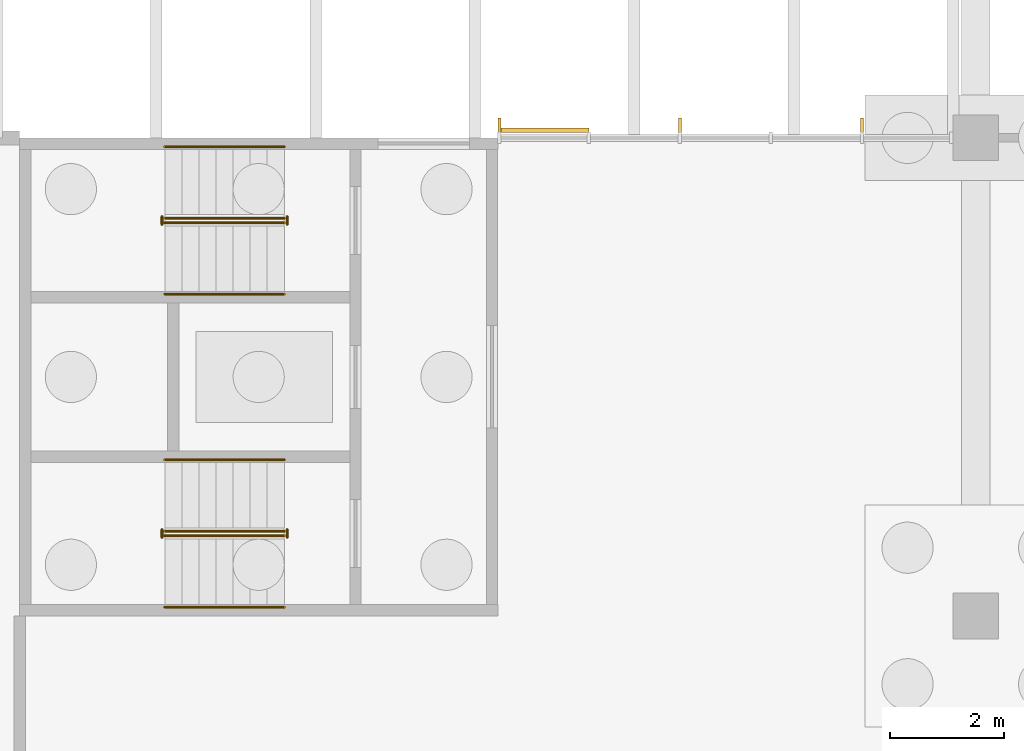
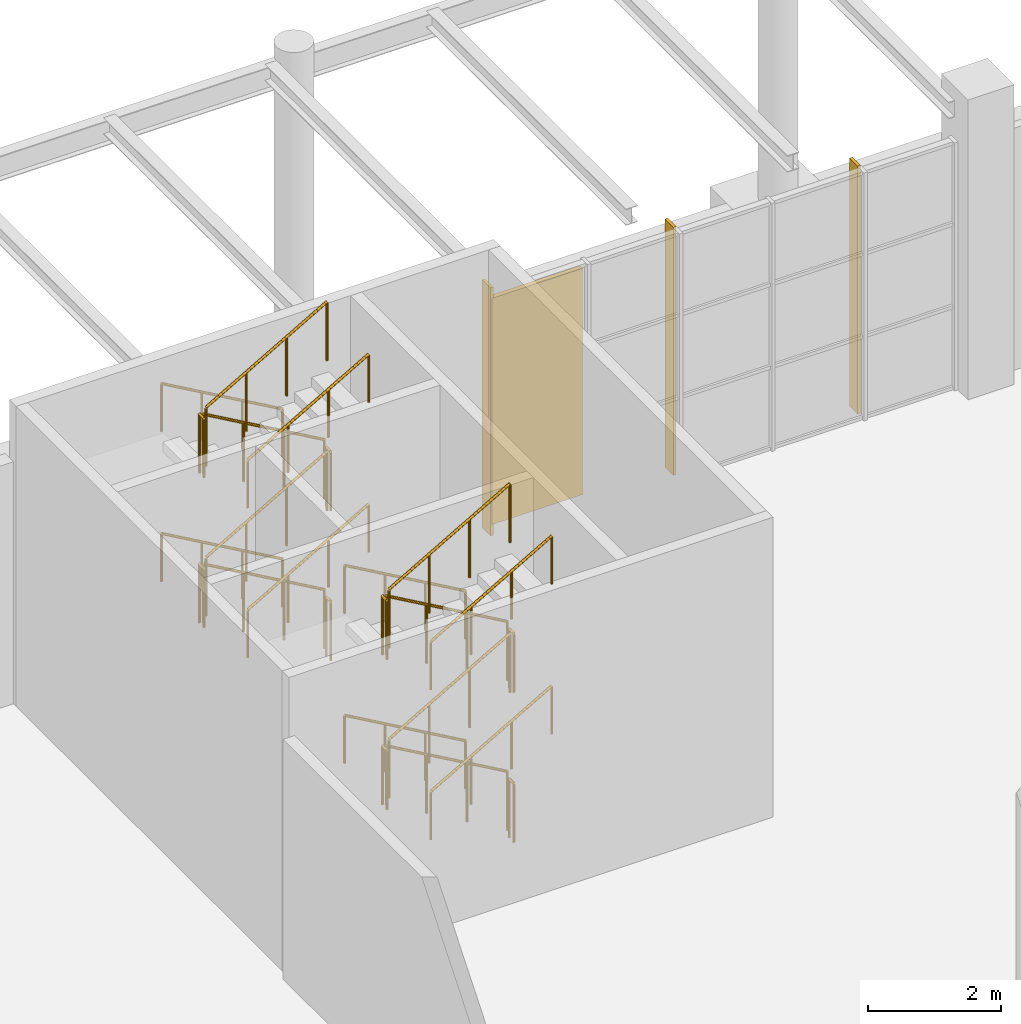
# One storey, part 73 of 82: 24 railings, 4 shading devices.
"""IFC4 building model written with IfcOpenShell, lengths in metres."""

from ifc_helpers import new_model, si_unit, direction, frame, origin, origin_2d, place, context, subcontext, project, spatial, rectangle, circle, extrude, material, material_profile, profile_set, type_object, element, save


model = new_model("IFC4")

# Units and contexts
model_context = context("Model", 3, precision=1e-05, world=origin(), true_north=direction((0.0, 1.0)))
body_context = subcontext(model_context, "Body", "Model", "MODEL_VIEW")
ifc_project = project(units=[si_unit("LENGTHUNIT", "METRE"), si_unit("AREAUNIT", "SQUARE_METRE"), si_unit("VOLUMEUNIT", "CUBIC_METRE"), si_unit("PLANEANGLEUNIT", "RADIAN"), si_unit("MASSUNIT", "GRAM", prefix="KILO")], contexts=[model_context])

# Site, building, storey
site_placement = place(None, origin())
site = spatial("IfcSite", under=ifc_project, at=site_placement, CompositionType="ELEMENT")
building_placement = place(site_placement, origin())
building = spatial("IfcBuilding", under=site, at=building_placement, Name="Almond Square Museum", CompositionType="ELEMENT")
storey_placement = place(building_placement, origin())
storey = spatial("IfcBuildingStorey", under=building, at=storey_placement, Name="L00", CompositionType="ELEMENT", Elevation=0.0)

# Railings
ifc_material_1 = material(Name="Stainless steel and laminated glass", Category="steel")
railing_type_1 = type_object("IfcRailingType", Name="Stair guard 1100 steel and glass", PredefinedType="GUARDRAIL", material=ifc_material_1)
railing_1_placement = place(storey_placement, frame((77.85009765625, 102.2900390625, 0.171875)))
element("IfcRailing", 1, at=railing_1_placement, inside=storey, type_object=railing_type_1, Name="L00 ST-09 stair guard 1", PredefinedType="GUARDRAIL", context=body_context, shape_type="SweptSolid", body=[
    extrude(circle(Radius=0.02392578125, at=origin_2d()), frame((0.0, 0.0, 1.076171875), z_axis=(-0.867696358075, 0.0, 0.497094588769), x_axis=(0.0, -1.0, 0.0)), (0.0, 0.0, 1.0), 2.42041015625),
    extrude(circle(Radius=0.02099609375, at=origin_2d()), origin(), (0.0, 0.0, 1.0), 1.052001953125),
    extrude(circle(Radius=0.02099609375, at=origin_2d()), frame((-0.699951171875, 0.0, 0.401123046875)), (0.0, 0.0, 1.0), 1.052001953125),
    extrude(circle(Radius=0.02099609375, at=origin_2d()), frame((-1.400146484375, 0.0, 0.802001953125)), (0.0, 0.0, 1.0), 1.052001953125),
    extrude(circle(Radius=0.02099609375, at=origin_2d()), frame((-2.10009765625, 0.0, 1.203125)), (0.0, 0.0, 1.0), 1.052001953125),
])
railing_2_placement = place(storey_placement, frame((75.699951171875, 102.320068359375, 1.375)))
element("IfcRailing", 2, at=railing_2_placement, inside=storey, type_object=railing_type_1, Name="L00 ST-09 stair guard 2", PredefinedType="GUARDRAIL", context=body_context, shape_type="SweptSolid", body=[
    extrude(circle(Radius=0.02392578125, at=origin_2d()), frame((0.0, 0.0, 1.076171875), z_axis=(0.0, -1.0, 0.0), x_axis=(1.0, 0.0, 0.0)), (0.0, 0.0, 1.0), 0.14013671875),
    extrude(circle(Radius=0.02099609375, at=origin_2d()), origin(), (0.0, 0.0, 1.0), 1.052001953125),
    extrude(circle(Radius=0.02099609375, at=origin_2d()), frame((0.0, -0.14013671875, 0.0)), (0.0, 0.0, 1.0), 1.052001953125),
])
railing_3_placement = place(storey_placement, frame((75.75, 102.2099609375, 1.546875)))
element("IfcRailing", 3, at=railing_3_placement, inside=storey, type_object=railing_type_1, Name="L00 ST-09 stair guard 3", PredefinedType="GUARDRAIL", context=body_context, shape_type="SweptSolid", body=[
    extrude(circle(Radius=0.02392578125, at=origin_2d()), frame((0.0, 0.0, 1.076171875), z_axis=(0.867696358075, 0.0, 0.497094588769), x_axis=(0.0, 1.0, 0.0)), (0.0, 0.0, 1.0), 2.42041015625),
    extrude(circle(Radius=0.02099609375, at=origin_2d()), origin(), (0.0, 0.0, 1.0), 1.052001953125),
    extrude(circle(Radius=0.02099609375, at=origin_2d()), frame((0.699951171875, 0.0, 0.401123046875)), (0.0, 0.0, 1.0), 1.052001953125),
    extrude(circle(Radius=0.02099609375, at=origin_2d()), frame((1.400146484375, 0.0, 0.802001953125)), (0.0, 0.0, 1.0), 1.052001953125),
    extrude(circle(Radius=0.02099609375, at=origin_2d()), frame((2.10009765625, 0.0, 1.203125)), (0.0, 0.0, 1.0), 1.052001953125),
])
railing_4_placement = place(storey_placement, frame((77.89990234375, 102.320068359375, 2.75)))
element("IfcRailing", 4, at=railing_4_placement, inside=storey, type_object=railing_type_1, Name="L00 ST-09 stair guard 4", PredefinedType="GUARDRAIL", context=body_context, shape_type="SweptSolid", body=[
    extrude(circle(Radius=0.02392578125, at=origin_2d()), frame((0.0, 0.0, 1.076171875), z_axis=(0.0, -1.0, 0.0), x_axis=(1.0, 0.0, 0.0)), (0.0, 0.0, 1.0), 0.14013671875),
    extrude(circle(Radius=0.02099609375, at=origin_2d()), origin(), (0.0, 0.0, 1.0), 1.052001953125),
    extrude(circle(Radius=0.02099609375, at=origin_2d()), frame((0.0, -0.14013671875, 0.0)), (0.0, 0.0, 1.0), 1.052001953125),
])
railing_5_placement = place(storey_placement, frame((77.85009765625, 102.2900390625, 2.921875)))
element("IfcRailing", 5, at=railing_5_placement, inside=storey, type_object=railing_type_1, Name="L00 ST-09 stair guard 5", PredefinedType="GUARDRAIL", context=body_context, shape_type="SweptSolid", body=[
    extrude(circle(Radius=0.02392578125, at=origin_2d()), frame((0.0, 0.0, 1.076171875), z_axis=(-0.867696358075, 0.0, 0.497094588769), x_axis=(0.0, -1.0, 0.0)), (0.0, 0.0, 1.0), 2.42041015625),
    extrude(circle(Radius=0.02099609375, at=origin_2d()), origin(), (0.0, 0.0, 1.0), 1.052001953125),
    extrude(circle(Radius=0.02099609375, at=origin_2d()), frame((-0.699951171875, 0.0, 0.401123046875)), (0.0, 0.0, 1.0), 1.052001953125),
    extrude(circle(Radius=0.02099609375, at=origin_2d()), frame((-1.400146484375, 0.0, 0.802001953125)), (0.0, 0.0, 1.0), 1.052001953125),
    extrude(circle(Radius=0.02099609375, at=origin_2d()), frame((-2.10009765625, 0.0, 1.203125)), (0.0, 0.0, 1.0), 1.052001953125),
])
railing_6_placement = place(storey_placement, frame((75.699951171875, 102.320068359375, 4.125)))
element("IfcRailing", 6, at=railing_6_placement, inside=storey, type_object=railing_type_1, Name="L00 ST-09 stair guard 6", PredefinedType="GUARDRAIL", context=body_context, shape_type="SweptSolid", body=[
    extrude(circle(Radius=0.02392578125, at=origin_2d()), frame((0.0, 0.0, 1.076171875), z_axis=(0.0, -1.0, 0.0), x_axis=(1.0, 0.0, 0.0)), (0.0, 0.0, 1.0), 0.14013671875),
    extrude(circle(Radius=0.02099609375, at=origin_2d()), origin(), (0.0, 0.0, 1.0), 1.052001953125),
    extrude(circle(Radius=0.02099609375, at=origin_2d()), frame((0.0, -0.14013671875, 0.0)), (0.0, 0.0, 1.0), 1.052001953125),
])
railing_7_placement = place(storey_placement, frame((75.75, 102.2099609375, 4.296875)))
element("IfcRailing", 7, at=railing_7_placement, inside=storey, type_object=railing_type_1, Name="L00 ST-09 stair guard 7", PredefinedType="GUARDRAIL", context=body_context, shape_type="SweptSolid", body=[
    extrude(circle(Radius=0.02392578125, at=origin_2d()), frame((0.0, 0.0, 1.076171875), z_axis=(0.867696358075, 0.0, 0.497094588769), x_axis=(0.0, 1.0, 0.0)), (0.0, 0.0, 1.0), 2.42041015625),
    extrude(circle(Radius=0.02099609375, at=origin_2d()), origin(), (0.0, 0.0, 1.0), 1.052001953125),
    extrude(circle(Radius=0.02099609375, at=origin_2d()), frame((0.699951171875, 0.0, 0.401123046875)), (0.0, 0.0, 1.0), 1.052001953125),
    extrude(circle(Radius=0.02099609375, at=origin_2d()), frame((1.400146484375, 0.0, 0.802001953125)), (0.0, 0.0, 1.0), 1.052001953125),
    extrude(circle(Radius=0.02099609375, at=origin_2d()), frame((2.10009765625, 0.0, 1.203125)), (0.0, 0.0, 1.0), 1.052001953125),
])
railing_8_placement = place(storey_placement, frame((77.89990234375, 102.320068359375, 0.0)))
element("IfcRailing", 8, at=railing_8_placement, inside=storey, type_object=railing_type_1, Name="L00 ST-09 stair guard 8", PredefinedType="GUARDRAIL", context=body_context, shape_type="SweptSolid", body=[
    extrude(circle(Radius=0.02392578125, at=origin_2d()), frame((0.0, 0.0, 1.076171875), z_axis=(0.0, -1.0, 0.0), x_axis=(1.0, 0.0, 0.0)), (0.0, 0.0, 1.0), 0.14013671875),
    extrude(circle(Radius=0.02099609375, at=origin_2d()), origin(), (0.0, 0.0, 1.0), 1.052001953125),
    extrude(circle(Radius=0.02099609375, at=origin_2d()), frame((0.0, -0.14013671875, 0.0)), (0.0, 0.0, 1.0), 1.052001953125),
])
railing_9_placement = place(storey_placement, frame((77.85009765625, 107.7900390625, 0.171875)))
element("IfcRailing", 9, at=railing_9_placement, inside=storey, type_object=railing_type_1, Name="L00 ST-10 stair guard 1", PredefinedType="GUARDRAIL", context=body_context, shape_type="SweptSolid", body=[
    extrude(circle(Radius=0.02392578125, at=origin_2d()), frame((0.0, 0.0, 1.076171875), z_axis=(-0.867696358075, 0.0, 0.497094588769), x_axis=(0.0, -1.0, 0.0)), (0.0, 0.0, 1.0), 2.42041015625),
    extrude(circle(Radius=0.02099609375, at=origin_2d()), origin(), (0.0, 0.0, 1.0), 1.052001953125),
    extrude(circle(Radius=0.02099609375, at=origin_2d()), frame((-0.699951171875, 0.0, 0.401123046875)), (0.0, 0.0, 1.0), 1.052001953125),
    extrude(circle(Radius=0.02099609375, at=origin_2d()), frame((-1.400146484375, 0.0, 0.802001953125)), (0.0, 0.0, 1.0), 1.052001953125),
    extrude(circle(Radius=0.02099609375, at=origin_2d()), frame((-2.10009765625, 0.0, 1.203125)), (0.0, 0.0, 1.0), 1.052001953125),
])
railing_10_placement = place(storey_placement, frame((75.699951171875, 107.820068359375, 1.375)))
element("IfcRailing", 10, at=railing_10_placement, inside=storey, type_object=railing_type_1, Name="L00 ST-10 stair guard 2", PredefinedType="GUARDRAIL", context=body_context, shape_type="SweptSolid", body=[
    extrude(circle(Radius=0.02392578125, at=origin_2d()), frame((0.0, 0.0, 1.076171875), z_axis=(0.0, -1.0, 0.0), x_axis=(1.0, 0.0, 0.0)), (0.0, 0.0, 1.0), 0.14013671875),
    extrude(circle(Radius=0.02099609375, at=origin_2d()), origin(), (0.0, 0.0, 1.0), 1.052001953125),
    extrude(circle(Radius=0.02099609375, at=origin_2d()), frame((0.0, -0.14013671875, 0.0)), (0.0, 0.0, 1.0), 1.052001953125),
])
railing_11_placement = place(storey_placement, frame((75.75, 107.7099609375, 1.546875)))
element("IfcRailing", 11, at=railing_11_placement, inside=storey, type_object=railing_type_1, Name="L00 ST-10 stair guard 3", PredefinedType="GUARDRAIL", context=body_context, shape_type="SweptSolid", body=[
    extrude(circle(Radius=0.02392578125, at=origin_2d()), frame((0.0, 0.0, 1.076171875), z_axis=(0.867696358075, 0.0, 0.497094588769), x_axis=(0.0, 1.0, 0.0)), (0.0, 0.0, 1.0), 2.42041015625),
    extrude(circle(Radius=0.02099609375, at=origin_2d()), origin(), (0.0, 0.0, 1.0), 1.052001953125),
    extrude(circle(Radius=0.02099609375, at=origin_2d()), frame((0.699951171875, 0.0, 0.401123046875)), (0.0, 0.0, 1.0), 1.052001953125),
    extrude(circle(Radius=0.02099609375, at=origin_2d()), frame((1.400146484375, 0.0, 0.802001953125)), (0.0, 0.0, 1.0), 1.052001953125),
    extrude(circle(Radius=0.02099609375, at=origin_2d()), frame((2.10009765625, 0.0, 1.203125)), (0.0, 0.0, 1.0), 1.052001953125),
])
railing_12_placement = place(storey_placement, frame((77.89990234375, 107.820068359375, 2.75)))
element("IfcRailing", 12, at=railing_12_placement, inside=storey, type_object=railing_type_1, Name="L00 ST-10 stair guard 4", PredefinedType="GUARDRAIL", context=body_context, shape_type="SweptSolid", body=[
    extrude(circle(Radius=0.02392578125, at=origin_2d()), frame((0.0, 0.0, 1.076171875), z_axis=(0.0, -1.0, 0.0), x_axis=(1.0, 0.0, 0.0)), (0.0, 0.0, 1.0), 0.14013671875),
    extrude(circle(Radius=0.02099609375, at=origin_2d()), origin(), (0.0, 0.0, 1.0), 1.052001953125),
    extrude(circle(Radius=0.02099609375, at=origin_2d()), frame((0.0, -0.14013671875, 0.0)), (0.0, 0.0, 1.0), 1.052001953125),
])
railing_13_placement = place(storey_placement, frame((77.85009765625, 107.7900390625, 2.921875)))
element("IfcRailing", 13, at=railing_13_placement, inside=storey, type_object=railing_type_1, Name="L00 ST-10 stair guard 5", PredefinedType="GUARDRAIL", context=body_context, shape_type="SweptSolid", body=[
    extrude(circle(Radius=0.02392578125, at=origin_2d()), frame((0.0, 0.0, 1.076171875), z_axis=(-0.867696358075, 0.0, 0.497094588769), x_axis=(0.0, -1.0, 0.0)), (0.0, 0.0, 1.0), 2.42041015625),
    extrude(circle(Radius=0.02099609375, at=origin_2d()), origin(), (0.0, 0.0, 1.0), 1.052001953125),
    extrude(circle(Radius=0.02099609375, at=origin_2d()), frame((-0.699951171875, 0.0, 0.401123046875)), (0.0, 0.0, 1.0), 1.052001953125),
    extrude(circle(Radius=0.02099609375, at=origin_2d()), frame((-1.400146484375, 0.0, 0.802001953125)), (0.0, 0.0, 1.0), 1.052001953125),
    extrude(circle(Radius=0.02099609375, at=origin_2d()), frame((-2.10009765625, 0.0, 1.203125)), (0.0, 0.0, 1.0), 1.052001953125),
])
railing_14_placement = place(storey_placement, frame((75.699951171875, 107.820068359375, 4.125)))
element("IfcRailing", 14, at=railing_14_placement, inside=storey, type_object=railing_type_1, Name="L00 ST-10 stair guard 6", PredefinedType="GUARDRAIL", context=body_context, shape_type="SweptSolid", body=[
    extrude(circle(Radius=0.02392578125, at=origin_2d()), frame((0.0, 0.0, 1.076171875), z_axis=(0.0, -1.0, 0.0), x_axis=(1.0, 0.0, 0.0)), (0.0, 0.0, 1.0), 0.14013671875),
    extrude(circle(Radius=0.02099609375, at=origin_2d()), origin(), (0.0, 0.0, 1.0), 1.052001953125),
    extrude(circle(Radius=0.02099609375, at=origin_2d()), frame((0.0, -0.14013671875, 0.0)), (0.0, 0.0, 1.0), 1.052001953125),
])
railing_15_placement = place(storey_placement, frame((75.75, 107.7099609375, 4.296875)))
element("IfcRailing", 15, at=railing_15_placement, inside=storey, type_object=railing_type_1, Name="L00 ST-10 stair guard 7", PredefinedType="GUARDRAIL", context=body_context, shape_type="SweptSolid", body=[
    extrude(circle(Radius=0.02392578125, at=origin_2d()), frame((0.0, 0.0, 1.076171875), z_axis=(0.867696358075, 0.0, 0.497094588769), x_axis=(0.0, 1.0, 0.0)), (0.0, 0.0, 1.0), 2.42041015625),
    extrude(circle(Radius=0.02099609375, at=origin_2d()), origin(), (0.0, 0.0, 1.0), 1.052001953125),
    extrude(circle(Radius=0.02099609375, at=origin_2d()), frame((0.699951171875, 0.0, 0.401123046875)), (0.0, 0.0, 1.0), 1.052001953125),
    extrude(circle(Radius=0.02099609375, at=origin_2d()), frame((1.400146484375, 0.0, 0.802001953125)), (0.0, 0.0, 1.0), 1.052001953125),
    extrude(circle(Radius=0.02099609375, at=origin_2d()), frame((2.10009765625, 0.0, 1.203125)), (0.0, 0.0, 1.0), 1.052001953125),
])
railing_16_placement = place(storey_placement, frame((77.89990234375, 107.820068359375, 0.0)))
element("IfcRailing", 16, at=railing_16_placement, inside=storey, type_object=railing_type_1, Name="L00 ST-10 stair guard 8", PredefinedType="GUARDRAIL", context=body_context, shape_type="SweptSolid", body=[
    extrude(circle(Radius=0.02392578125, at=origin_2d()), frame((0.0, 0.0, 1.076171875), z_axis=(0.0, -1.0, 0.0), x_axis=(1.0, 0.0, 0.0)), (0.0, 0.0, 1.0), 0.14013671875),
    extrude(circle(Radius=0.02099609375, at=origin_2d()), origin(), (0.0, 0.0, 1.0), 1.052001953125),
    extrude(circle(Radius=0.02099609375, at=origin_2d()), frame((0.0, -0.14013671875, 0.0)), (0.0, 0.0, 1.0), 1.052001953125),
])
ifc_material_2 = material(Name="Stainless steel", Category="steel")
railing_type_2 = type_object("IfcRailingType", Name="Stair handrail 900 steel", PredefinedType="HANDRAIL", material=ifc_material_2)
railing_17_placement = place(storey_placement, frame((77.85009765625, 103.544921875, 0.171875)))
element("IfcRailing", 17, at=railing_17_placement, inside=storey, type_object=railing_type_2, Name="L00 ST-09 stair handrail 1", PredefinedType="HANDRAIL", context=body_context, shape_type="SweptSolid", body=[
    extrude(circle(Radius=0.02392578125, at=origin_2d()), frame((0.0, 0.0, 0.8759765625), z_axis=(-0.867696358075, 0.0, 0.497094588769), x_axis=(0.0, -1.0, 0.0)), (0.0, 0.0, 1.0), 2.42041015625),
    extrude(circle(Radius=0.02099609375, at=origin_2d()), origin(), (0.0, 0.0, 1.0), 0.851806640625),
    extrude(circle(Radius=0.02099609375, at=origin_2d()), frame((-0.699951171875, 0.0, 0.401123046875)), (0.0, 0.0, 1.0), 0.851806640625),
    extrude(circle(Radius=0.02099609375, at=origin_2d()), frame((-1.400146484375, 0.0, 0.802001953125)), (0.0, 0.0, 1.0), 0.851806640625),
    extrude(circle(Radius=0.02099609375, at=origin_2d()), frame((-2.10009765625, 0.0, 1.203125)), (0.0, 0.0, 1.0), 0.851806640625),
])
railing_18_placement = place(storey_placement, frame((75.75, 100.955078125, 1.546875)))
element("IfcRailing", 18, at=railing_18_placement, inside=storey, type_object=railing_type_2, Name="L00 ST-09 stair handrail 2", PredefinedType="HANDRAIL", context=body_context, shape_type="SweptSolid", body=[
    extrude(circle(Radius=0.02392578125, at=origin_2d()), frame((0.0, 0.0, 0.8759765625), z_axis=(0.867696358075, 0.0, 0.497094588769), x_axis=(0.0, 1.0, 0.0)), (0.0, 0.0, 1.0), 2.42041015625),
    extrude(circle(Radius=0.02099609375, at=origin_2d()), origin(), (0.0, 0.0, 1.0), 0.851806640625),
    extrude(circle(Radius=0.02099609375, at=origin_2d()), frame((0.699951171875, 0.0, 0.401123046875)), (0.0, 0.0, 1.0), 0.851806640625),
    extrude(circle(Radius=0.02099609375, at=origin_2d()), frame((1.400146484375, 0.0, 0.802001953125)), (0.0, 0.0, 1.0), 0.851806640625),
    extrude(circle(Radius=0.02099609375, at=origin_2d()), frame((2.10009765625, 0.0, 1.203125)), (0.0, 0.0, 1.0), 0.851806640625),
])
railing_19_placement = place(storey_placement, frame((77.85009765625, 103.544921875, 2.921875)))
element("IfcRailing", 19, at=railing_19_placement, inside=storey, type_object=railing_type_2, Name="L00 ST-09 stair handrail 3", PredefinedType="HANDRAIL", context=body_context, shape_type="SweptSolid", body=[
    extrude(circle(Radius=0.02392578125, at=origin_2d()), frame((0.0, 0.0, 0.8759765625), z_axis=(-0.867696358075, 0.0, 0.497094588769), x_axis=(0.0, -1.0, 0.0)), (0.0, 0.0, 1.0), 2.42041015625),
    extrude(circle(Radius=0.02099609375, at=origin_2d()), origin(), (0.0, 0.0, 1.0), 0.851806640625),
    extrude(circle(Radius=0.02099609375, at=origin_2d()), frame((-0.699951171875, 0.0, 0.401123046875)), (0.0, 0.0, 1.0), 0.851806640625),
    extrude(circle(Radius=0.02099609375, at=origin_2d()), frame((-1.400146484375, 0.0, 0.802001953125)), (0.0, 0.0, 1.0), 0.851806640625),
    extrude(circle(Radius=0.02099609375, at=origin_2d()), frame((-2.10009765625, 0.0, 1.203125)), (0.0, 0.0, 1.0), 0.851806640625),
])
railing_20_placement = place(storey_placement, frame((75.75, 100.955078125, 4.296875)))
element("IfcRailing", 20, at=railing_20_placement, inside=storey, type_object=railing_type_2, Name="L00 ST-09 stair handrail 4", PredefinedType="HANDRAIL", context=body_context, shape_type="SweptSolid", body=[
    extrude(circle(Radius=0.02392578125, at=origin_2d()), frame((0.0, 0.0, 0.8759765625), z_axis=(0.867696358075, 0.0, 0.497094588769), x_axis=(0.0, 1.0, 0.0)), (0.0, 0.0, 1.0), 2.42041015625),
    extrude(circle(Radius=0.02099609375, at=origin_2d()), origin(), (0.0, 0.0, 1.0), 0.851806640625),
    extrude(circle(Radius=0.02099609375, at=origin_2d()), frame((0.699951171875, 0.0, 0.401123046875)), (0.0, 0.0, 1.0), 0.851806640625),
    extrude(circle(Radius=0.02099609375, at=origin_2d()), frame((1.400146484375, 0.0, 0.802001953125)), (0.0, 0.0, 1.0), 0.851806640625),
    extrude(circle(Radius=0.02099609375, at=origin_2d()), frame((2.10009765625, 0.0, 1.203125)), (0.0, 0.0, 1.0), 0.851806640625),
])
railing_21_placement = place(storey_placement, frame((77.85009765625, 109.044921875, 0.171875)))
element("IfcRailing", 21, at=railing_21_placement, inside=storey, type_object=railing_type_2, Name="L00 ST-10 stair handrail 1", PredefinedType="HANDRAIL", context=body_context, shape_type="SweptSolid", body=[
    extrude(circle(Radius=0.02392578125, at=origin_2d()), frame((0.0, 0.0, 0.8759765625), z_axis=(-0.867696358075, 0.0, 0.497094588769), x_axis=(0.0, -1.0, 0.0)), (0.0, 0.0, 1.0), 2.42041015625),
    extrude(circle(Radius=0.02099609375, at=origin_2d()), origin(), (0.0, 0.0, 1.0), 0.851806640625),
    extrude(circle(Radius=0.02099609375, at=origin_2d()), frame((-0.699951171875, 0.0, 0.401123046875)), (0.0, 0.0, 1.0), 0.851806640625),
    extrude(circle(Radius=0.02099609375, at=origin_2d()), frame((-1.400146484375, 0.0, 0.802001953125)), (0.0, 0.0, 1.0), 0.851806640625),
    extrude(circle(Radius=0.02099609375, at=origin_2d()), frame((-2.10009765625, 0.0, 1.203125)), (0.0, 0.0, 1.0), 0.851806640625),
])
railing_22_placement = place(storey_placement, frame((75.75, 106.455078125, 1.546875)))
element("IfcRailing", 22, at=railing_22_placement, inside=storey, type_object=railing_type_2, Name="L00 ST-10 stair handrail 2", PredefinedType="HANDRAIL", context=body_context, shape_type="SweptSolid", body=[
    extrude(circle(Radius=0.02392578125, at=origin_2d()), frame((0.0, 0.0, 0.8759765625), z_axis=(0.867696358075, 0.0, 0.497094588769), x_axis=(0.0, 1.0, 0.0)), (0.0, 0.0, 1.0), 2.42041015625),
    extrude(circle(Radius=0.02099609375, at=origin_2d()), origin(), (0.0, 0.0, 1.0), 0.851806640625),
    extrude(circle(Radius=0.02099609375, at=origin_2d()), frame((0.699951171875, 0.0, 0.401123046875)), (0.0, 0.0, 1.0), 0.851806640625),
    extrude(circle(Radius=0.02099609375, at=origin_2d()), frame((1.400146484375, 0.0, 0.802001953125)), (0.0, 0.0, 1.0), 0.851806640625),
    extrude(circle(Radius=0.02099609375, at=origin_2d()), frame((2.10009765625, 0.0, 1.203125)), (0.0, 0.0, 1.0), 0.851806640625),
])
railing_23_placement = place(storey_placement, frame((77.85009765625, 109.044921875, 2.921875)))
element("IfcRailing", 23, at=railing_23_placement, inside=storey, type_object=railing_type_2, Name="L00 ST-10 stair handrail 3", PredefinedType="HANDRAIL", context=body_context, shape_type="SweptSolid", body=[
    extrude(circle(Radius=0.02392578125, at=origin_2d()), frame((0.0, 0.0, 0.8759765625), z_axis=(-0.867696358075, 0.0, 0.497094588769), x_axis=(0.0, -1.0, 0.0)), (0.0, 0.0, 1.0), 2.42041015625),
    extrude(circle(Radius=0.02099609375, at=origin_2d()), origin(), (0.0, 0.0, 1.0), 0.851806640625),
    extrude(circle(Radius=0.02099609375, at=origin_2d()), frame((-0.699951171875, 0.0, 0.401123046875)), (0.0, 0.0, 1.0), 0.851806640625),
    extrude(circle(Radius=0.02099609375, at=origin_2d()), frame((-1.400146484375, 0.0, 0.802001953125)), (0.0, 0.0, 1.0), 0.851806640625),
    extrude(circle(Radius=0.02099609375, at=origin_2d()), frame((-2.10009765625, 0.0, 1.203125)), (0.0, 0.0, 1.0), 0.851806640625),
])
railing_24_placement = place(storey_placement, frame((75.75, 106.455078125, 4.296875)))
element("IfcRailing", 24, at=railing_24_placement, inside=storey, type_object=railing_type_2, Name="L00 ST-10 stair handrail 4", PredefinedType="HANDRAIL", context=body_context, shape_type="SweptSolid", body=[
    extrude(circle(Radius=0.02392578125, at=origin_2d()), frame((0.0, 0.0, 0.8759765625), z_axis=(0.867696358075, 0.0, 0.497094588769), x_axis=(0.0, 1.0, 0.0)), (0.0, 0.0, 1.0), 2.42041015625),
    extrude(circle(Radius=0.02099609375, at=origin_2d()), origin(), (0.0, 0.0, 1.0), 0.851806640625),
    extrude(circle(Radius=0.02099609375, at=origin_2d()), frame((0.699951171875, 0.0, 0.401123046875)), (0.0, 0.0, 1.0), 0.851806640625),
    extrude(circle(Radius=0.02099609375, at=origin_2d()), frame((1.400146484375, 0.0, 0.802001953125)), (0.0, 0.0, 1.0), 0.851806640625),
    extrude(circle(Radius=0.02099609375, at=origin_2d()), frame((2.10009765625, 0.0, 1.203125)), (0.0, 0.0, 1.0), 0.851806640625),
])

# Shading devices
ifc_material_3 = material(Name="Anodised aluminium louvre", Category="aluminium")
shading_device_type_1 = type_object("IfcShadingDeviceType", Name="Storm louvre shutter", PredefinedType="SHUTTER", material=ifc_material_3)
shading_device_placement = place(storey_placement, frame((82.4150390625, 109.337890625, 0.199951171875), z_axis=(0.0, 0.0, 1.0), x_axis=(1.0, 0.0, 0.0)))
element("IfcShadingDevice", 25, at=shading_device_placement, inside=storey, type_object=shading_device_type_1, Name="Storm louvre shutter", PredefinedType="SHUTTER", context=body_context, shape_type="SweptSolid", body=[
    extrude(rectangle(XDim=1.570068359375, YDim=0.080078125, at=origin_2d()), origin(), (0.0, 0.0, 1.0), 4.14990234375),
])
ifc_material_4 = material(Name="Cedar timber fin", Category="wood")
ifc_material_profile = material_profile(ifc_material_4, rectangle(XDim=0.25, YDim=0.050048828125, at=origin_2d()))
ifc_profile_set = profile_set([ifc_material_profile], Name="Cedar timber fin")
shading_device_type_2 = type_object("IfcShadingDeviceType", Name="Timber fin 250 x 50", PredefinedType="USERDEFINED", material=ifc_profile_set)
for number, where, z_axis, x_axis, name in (
    (26, (81.6298828125, 109.423095703125, 0.0), (0.0, 0.0, 1.0), (0.0, 1.0, 0.0), "Timber fin"),
    (27, (84.800048828125, 109.423095703125, 0.0), (0.0, 0.0, 1.0), (0.0, 1.0, 0.0), "Timber fin"),
    (28, (88.0, 109.423095703125, 0.0), (0.0, 0.0, 1.0), (0.0, 1.0, 0.0), "Timber fin"),
):
    element("IfcShadingDevice", number, at=place(storey_placement, frame(where, z_axis=z_axis, x_axis=x_axis)), inside=storey, type_object=shading_device_type_2, Name=name, ObjectType="FIN", PredefinedType="USERDEFINED", context=body_context, shape_type="SweptSolid", body=[
        extrude(rectangle(XDim=0.25, YDim=0.050048828125, at=origin_2d()), origin(), (0.0, 0.0, 1.0), 4.550048828125),
    ])

save(model, "model.ifc")
